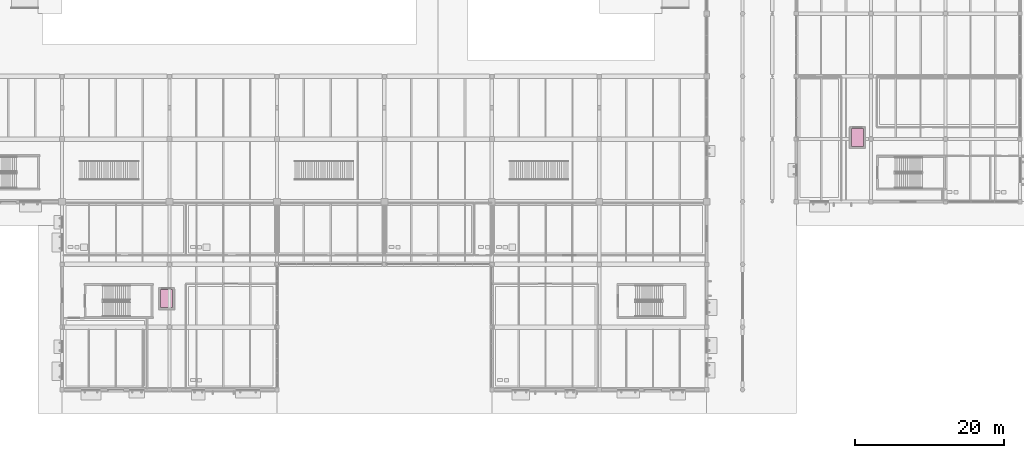
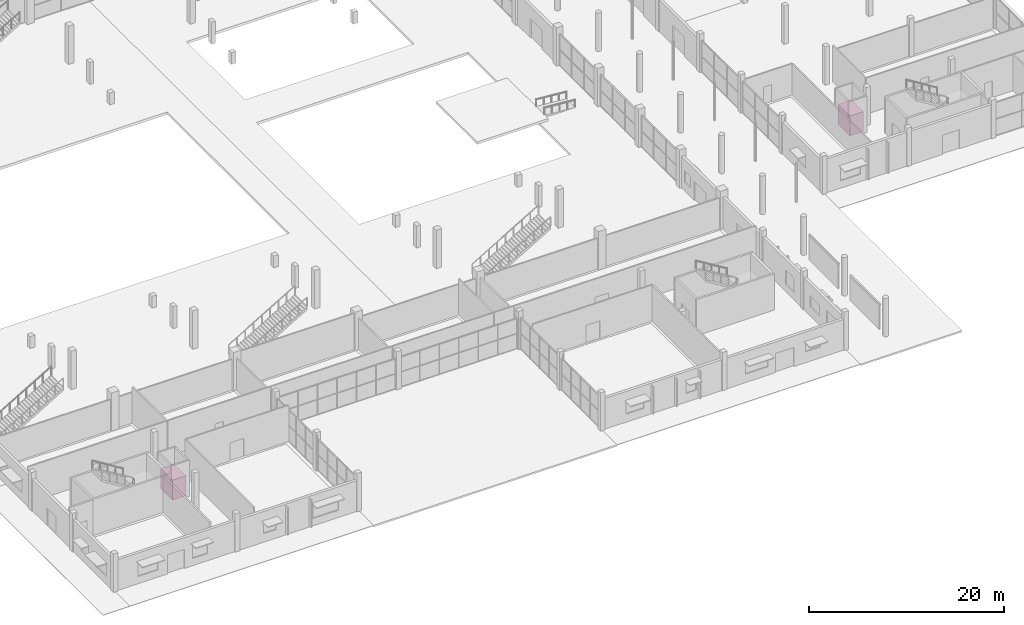
# One storey, part 130 of 130: 2 transport elements.
"""IFC4 building model written with IfcOpenShell, lengths in metres."""

import ifcopenshell
import ifcopenshell.guid

model = None  # the IFC model being written
_history = None  # IfcOwnerHistory: only IFC2X3 demands one
_inside = {}  # id of a spatial element -> (the spatial element, [elements in it])
_under = {}  # id of a project, library or spatial element -> (it, [spatial elements below it])
_declared = {}  # id of a project -> (the project, [libraries it declares])
_typed = {}  # id of a type object -> (the type object, [elements of that type])
_made_of = {}  # id of a material, layer set ... -> (it, [elements and type objects made of it])


def new_model(schema):
    """Start an empty IFC model of exactly this schema.

    Asked for "IFC4X3", IfcOpenShell would pick the latest addendum, in which some entities
    have other attributes; the version numbers below select the first issue.
    IFC2X3 requires an IfcOwnerHistory on every rooted entity: one is made here for all.
    """
    global model, _history
    if schema == "IFC4X3":
        model = ifcopenshell.file(schema_version=(4, 3, 0, 0))
    else:
        model = ifcopenshell.file(schema=schema)
    _inside.clear()
    _under.clear()
    _declared.clear()
    _typed.clear()
    _made_of.clear()
    _history = None
    if model.schema == "IFC2X3":
        org = make("IfcOrganization", Name="unknown")
        user = make(
            "IfcPersonAndOrganization",
            ThePerson=make("IfcPerson", FamilyName="unknown"),
            TheOrganization=org,
        )
        app = make(
            "IfcApplication",
            ApplicationDeveloper=org,
            Version="unknown",
            ApplicationFullName="unknown",
            ApplicationIdentifier="unknown",
        )
        _history = make(
            "IfcOwnerHistory",
            OwningUser=user,
            OwningApplication=app,
            ChangeAction="ADDED",
            CreationDate=0,
        )
    return model


def make(cls, **values):
    """One entity of the class cls with the attributes given. An attribute that is None is left unset."""
    return model.create_entity(
        cls, **{name: value for name, value in values.items() if value is not None}
    )


def rooted(cls, **values):
    """An entity with a GlobalId (a new one), such as an element, a storey or a relation."""
    return make(cls, GlobalId=ifcopenshell.guid.new(), OwnerHistory=_history, **values)


def si_unit(unit_type, name, prefix=None):
    """IfcSIUnit, for example si_unit("LENGTHUNIT", "METRE", prefix="MILLI")."""
    return make("IfcSIUnit", UnitType=unit_type, Prefix=prefix, Name=name)


def assignment(units):
    """IfcUnitAssignment: the units of a project."""
    return None if units is None else make("IfcUnitAssignment", Units=units)


def point(xyz):
    """IfcCartesianPoint."""
    return None if xyz is None else make("IfcCartesianPoint", Coordinates=xyz)


def direction(xyz):
    """IfcDirection."""
    return None if xyz is None else make("IfcDirection", DirectionRatios=xyz)


def frame(location, z_axis=None, x_axis=None):
    """IfcAxis2Placement3D, a coordinate frame: its origin and axes. An axis left out is left unset."""
    return make(
        "IfcAxis2Placement3D",
        Location=point(location),
        Axis=direction(z_axis),
        RefDirection=direction(x_axis),
    )


def frame_2d(location, x_axis=None):
    """IfcAxis2Placement2D, a coordinate frame in the plane: its origin and x axis."""
    return make(
        "IfcAxis2Placement2D", Location=point(location), RefDirection=direction(x_axis)
    )


def origin():
    """The frame at (0, 0, 0) with its axes left unset."""
    return frame((0.0, 0.0, 0.0))


def origin_2d():
    """The frame at (0, 0) in the plane with its x axis left unset."""
    return frame_2d((0.0, 0.0))


def place(relative_to, where):
    """IfcLocalPlacement: puts the frame where relative to a parent placement (None: the world)."""
    return make(
        "IfcLocalPlacement", PlacementRelTo=relative_to, RelativePlacement=where
    )


def context(
    kind, dimensions, precision=None, world=None, true_north=None, identifier=None
):
    """IfcGeometricRepresentationContext, for example the 3D "Model" context."""
    return make(
        "IfcGeometricRepresentationContext",
        ContextIdentifier=identifier,
        ContextType=kind,
        CoordinateSpaceDimension=dimensions,
        Precision=precision,
        WorldCoordinateSystem=world,
        TrueNorth=true_north,
    )


def subcontext(parent, identifier, kind, view, scale=None):
    """IfcGeometricRepresentationSubContext, for example "Body" below "Model"."""
    return make(
        "IfcGeometricRepresentationSubContext",
        ContextIdentifier=identifier,
        ContextType=kind,
        ParentContext=parent,
        TargetScale=scale,
        TargetView=view,
    )


def project(units=None, contexts=None):
    """IfcProject with its units and contexts."""
    return rooted(
        "IfcProject",
        Name="project",
        RepresentationContexts=contexts,
        UnitsInContext=assignment(units),
    )


def spatial(cls, under=None, at=None, **own):
    """A site, building, storey or space (cls), placed at a placement, below another one or the project."""
    s = rooted(cls, ObjectPlacement=at, **own)
    if under is not None:
        _under.setdefault(under.id(), (under, []))[1].append(s)
    return s


def profile(cls, at=None, kind="AREA", **sizes):
    """A parametric profile (cls). Its sizes go by their IFC names, for example OverallWidth=200.0."""
    return make(cls, ProfileType=kind, Position=at, **sizes)


def rectangle(**sizes):
    """IfcRectangleProfileDef."""
    return profile("IfcRectangleProfileDef", **sizes)


def extrude(swept, where, along, depth):
    """IfcExtrudedAreaSolid: the profile swept, set in the frame where, extruded along a direction by depth."""
    return make(
        "IfcExtrudedAreaSolid",
        SweptArea=swept,
        Position=where,
        ExtrudedDirection=direction(along),
        Depth=depth,
    )


def shape(context_of_items, identifier, shape_type, items):
    """IfcShapeRepresentation: the items that make up one representation, for example the "Body"."""
    return make(
        "IfcShapeRepresentation",
        ContextOfItems=context_of_items,
        RepresentationIdentifier=identifier,
        RepresentationType=shape_type,
        Items=items,
    )


def material(Name=None, Category=None):
    """IfcMaterial."""
    return make("IfcMaterial", Name=Name, Category=Category)


def made_of(thing, what):
    """Note that an element or type object is made of a material, layer set ...; save() writes the relation."""
    if what is not None:
        _made_of.setdefault(what.id(), (what, []))[1].append(thing)
    return thing


def type_object(cls, material=None, **own):
    """A type object (cls), such as IfcWallType, which elements share."""
    return made_of(rooted(cls, **own), material)


def element(
    cls,
    number,
    at=None,
    inside=None,
    cuts=None,
    type_object=None,
    material=None,
    context=None,
    identifier="Body",
    shape_type=None,
    held_by="IfcProductDefinitionShape",
    body=None,
    shapes=None,
    **own,
):
    """One element of the class cls, such as IfcWall. Its Tag is "e" and its number.

    at: its placement. inside: the storey or other place that contains it. cuts: it is an
    opening in that element (IfcRelVoidsElement). A single representation is given by context,
    identifier, shape_type and body (its items); several are given by shapes. held_by: the class
    of the entity that holds the representations. save() writes the other relations.
    """
    e = rooted(cls, Tag="e%d" % number, ObjectPlacement=at, **own)
    if body is not None:
        shapes = [shape(context, identifier, shape_type, body)]
    if shapes is not None:
        e.Representation = make(held_by, Representations=shapes)
    if inside is not None:
        _inside.setdefault(inside.id(), (inside, []))[1].append(e)
    if cuts is not None:
        rooted(
            "IfcRelVoidsElement", RelatingBuildingElement=cuts, RelatedOpeningElement=e
        )
    if type_object is not None:
        _typed.setdefault(type_object.id(), (type_object, []))[1].append(e)
    return made_of(e, material)


def aggregate(whole, parts):
    """IfcRelAggregates: a whole, such as a stair, and the parts it consists of."""
    return rooted("IfcRelAggregates", RelatingObject=whole, RelatedObjects=parts)


def save(model, path):
    """Write the relations noted so far, then the file.

    IfcRelAggregates (storeys below a building ...), IfcRelContainedInSpatialStructure (elements
    in a storey), IfcRelDefinesByType, IfcRelAssociatesMaterial and IfcRelDeclares: one each for
    every whole, place, type object, material and project.
    """
    for whole, parts in _under.values():
        aggregate(whole, parts)
    for where, things in _inside.values():
        rooted(
            "IfcRelContainedInSpatialStructure",
            RelatedElements=things,
            RelatingStructure=where,
        )
    for kind, things in _typed.values():
        rooted("IfcRelDefinesByType", RelatedObjects=things, RelatingType=kind)
    for what, things in _made_of.values():
        rooted("IfcRelAssociatesMaterial", RelatedObjects=things, RelatingMaterial=what)
    for by, libraries in _declared.values():
        rooted("IfcRelDeclares", RelatingContext=by, RelatedDefinitions=libraries)
    model.write(path)


model = new_model("IFC4")

# Units and contexts
model_context = context("Model", 3, precision=1e-05, world=origin(), true_north=direction((0.0, 1.0)))
body_context = subcontext(model_context, "Body", "Model", "MODEL_VIEW")
ifc_project = project(units=[si_unit("LENGTHUNIT", "METRE"), si_unit("AREAUNIT", "SQUARE_METRE"), si_unit("VOLUMEUNIT", "CUBIC_METRE"), si_unit("PLANEANGLEUNIT", "RADIAN"), si_unit("MASSUNIT", "GRAM", prefix="KILO"), si_unit("THERMODYNAMICTEMPERATUREUNIT", "KELVIN")], contexts=[model_context])

# Site, building, storey
site_placement = place(None, origin())
site = spatial("IfcSite", under=ifc_project, at=site_placement, CompositionType="ELEMENT")
building_placement = place(site_placement, origin())
building = spatial("IfcBuilding", under=site, at=building_placement, Name="Nduvali Passage Aquatics Centre", CompositionType="ELEMENT")
storey_placement = place(building_placement, origin())
storey = spatial("IfcBuildingStorey", under=building, at=storey_placement, Name="L00", CompositionType="ELEMENT", Elevation=0.0)

# Transport elements
ifc_material = material(Name="Stainless steel lift car", Category="steel")
transport_element_type_1 = type_object("IfcTransportElementType", Name="INT-LFT-L4", PredefinedType="ELEVATOR", material=ifc_material)
transport_element_1_placement = place(storey_placement, frame((53.60009765625, 12.199951171875, 0.0), z_axis=(0.0, 0.0, 1.0), x_axis=(1.0, 0.0, 0.0)))
element("IfcTransportElement", 1, at=transport_element_1_placement, inside=storey, type_object=transport_element_type_1, Name="Changing and Concourse Lift L4", PredefinedType="ELEVATOR", context=body_context, shape_type="SweptSolid", body=[
    extrude(rectangle(XDim=1.60009765625, YDim=2.39990234375, at=origin_2d()), origin(), (0.0, 0.0, 1.0), 2.5),
])
transport_element_type_2 = type_object("IfcTransportElementType", Name="INT-LFT-L6", PredefinedType="ELEVATOR", material=ifc_material)
transport_element_2_placement = place(storey_placement, frame((146.199951171875, 33.800048828125, 0.0), z_axis=(0.0, 0.0, 1.0), x_axis=(1.0, 0.0, 0.0)))
element("IfcTransportElement", 2, at=transport_element_2_placement, inside=storey, type_object=transport_element_type_2, Name="Entrance Foyer Lift L6", PredefinedType="ELEVATOR", context=body_context, shape_type="SweptSolid", body=[
    extrude(rectangle(XDim=1.60009765625, YDim=2.39990234375, at=origin_2d()), origin(), (0.0, 0.0, 1.0), 2.5),
])

save(model, "model.ifc")
